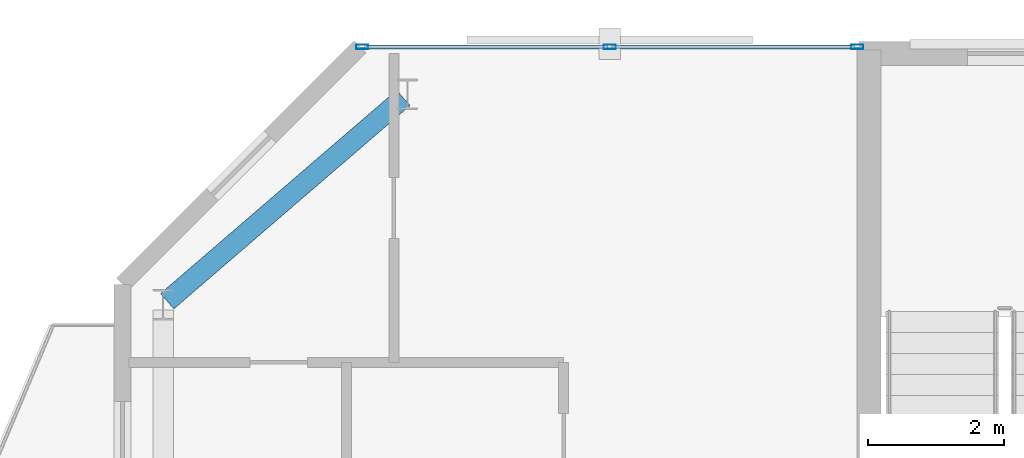
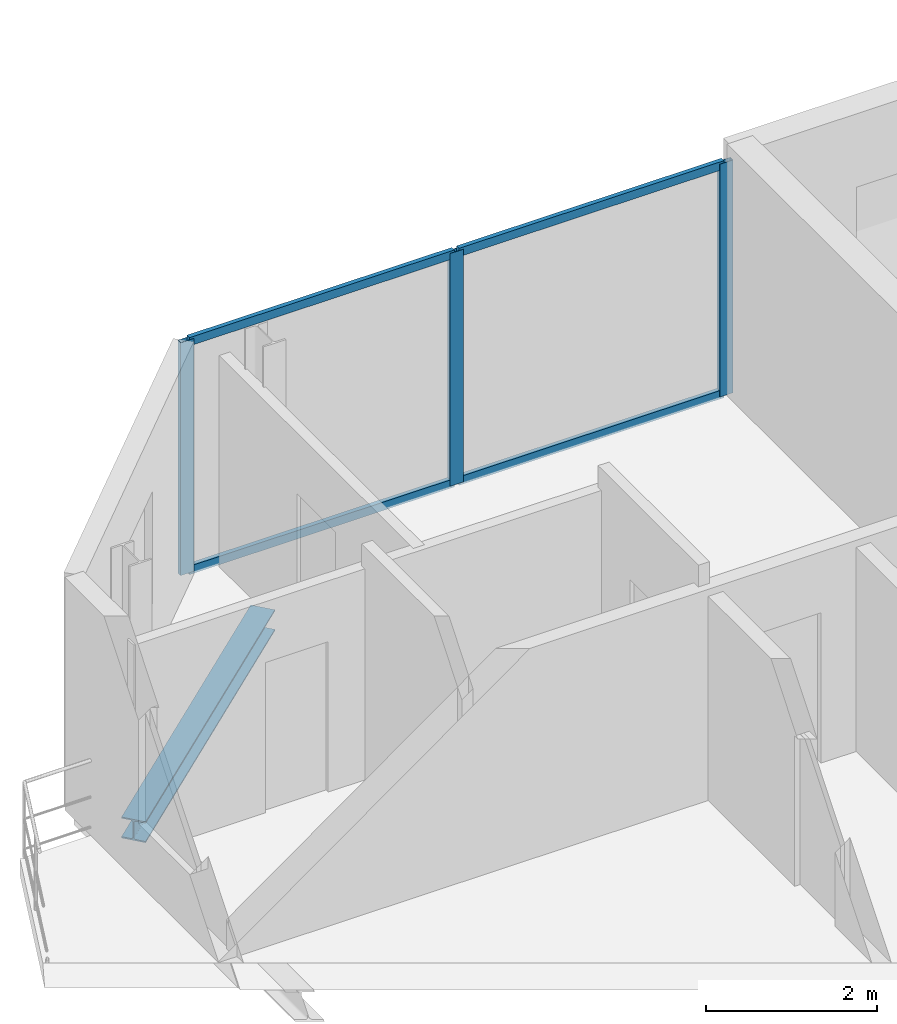
# One storey, part 15 of 23: 7 members, 1 beam, 1 element without a shape of its own.
"""IFC4 building model written with IfcOpenShell, lengths in metres."""

from ifc_helpers import new_model, si_unit, direction, frame, origin, origin_2d, place, context, subcontext, project, spatial, hollow_rectangle, i_section, extrude, material, layer, layer_set, material_profile, profile_set, type_object, element, aggregate, save


model = new_model("IFC4")

# Units and contexts
model_context = context("Model", 3, precision=1e-05, world=origin(), true_north=direction((0.0, 1.0)))
body_context = subcontext(model_context, "Body", "Model", "MODEL_VIEW")
ifc_project = project(units=[si_unit("LENGTHUNIT", "METRE"), si_unit("AREAUNIT", "SQUARE_METRE"), si_unit("VOLUMEUNIT", "CUBIC_METRE"), si_unit("PLANEANGLEUNIT", "RADIAN"), si_unit("MASSUNIT", "GRAM", prefix="KILO")], contexts=[model_context])

# Site, building, storey
site_placement = place(None, origin())
site = spatial("IfcSite", under=ifc_project, at=site_placement, CompositionType="ELEMENT")
building_placement = place(site_placement, origin())
building = spatial("IfcBuilding", under=site, at=building_placement, Name="Catumbela Crestline Tower", CompositionType="ELEMENT")
storey_placement = place(building_placement, frame((0.0, 0.0, 197.4)))
storey = spatial("IfcBuildingStorey", under=building, at=storey_placement, Name="L51", CompositionType="ELEMENT", Elevation=197.4)

# Curtain wall, members
ifc_material_1 = material(Name="Aluminium alloy AW-6060-T66", Category="aluminium")
ifc_layer = layer(ifc_material_1, 0.18, Name="Aluminium alloy AW-6060-T66")
ifc_layer_set = layer_set([ifc_layer], Name="Aluminium alloy AW-6060-T66")
curtain_wall_type = type_object("IfcCurtainWallType", Name="CWU-Z3", PredefinedType="USERDEFINED", material=ifc_layer_set)
curtain_wall_placement = place(storey_placement, origin())
curtain_wall = element("IfcCurtainWall", 1, at=curtain_wall_placement, inside=storey, type_object=curtain_wall_type, Name="L51 Unitised Curtain Wall CW-L51-E7S2", ObjectType="UNITISED", PredefinedType="USERDEFINED")
ifc_material_profile_1 = material_profile(ifc_material_1, hollow_rectangle(XDim=0.065, YDim=0.18, WallThickness=0.004, at=origin_2d()), Name="ALU 180x65x4")
ifc_profile_set_1 = profile_set([ifc_material_profile_1], Name="Aluminium alloy AW-6060-T66")
member_type_1 = type_object("IfcMemberType", Name="MUL-180X65", PredefinedType="MULLION", material=ifc_profile_set_1)
member_1_placement = place(storey_placement, frame((15.8275, 43.0, 0.0), z_axis=(0.0, 0.0, 1.0), x_axis=(0.0, -1.0, 0.0)))
member_1 = element("IfcMember", 2, at=member_1_placement, type_object=member_type_1, Name="CWU-Z3 mullion 1", PredefinedType="MULLION", context=body_context, shape_type="SweptSolid", body=[
    extrude(hollow_rectangle(XDim=0.065, YDim=0.18, WallThickness=0.004, at=origin_2d()), origin(), (0.0, 0.0, 1.0), 3.33),
])
member_2_placement = place(storey_placement, frame((12.18, 43.0, 0.0), z_axis=(0.0, 0.0, 1.0), x_axis=(0.0, -1.0, 0.0)))
member_2 = element("IfcMember", 3, at=member_2_placement, type_object=member_type_1, Name="CWU-Z3 mullion 2", PredefinedType="MULLION", context=body_context, shape_type="SweptSolid", body=[
    extrude(hollow_rectangle(XDim=0.065, YDim=0.18, WallThickness=0.004, at=origin_2d()), origin(), (0.0, 0.0, 1.0), 3.33),
])
member_3_placement = place(storey_placement, frame((8.5325, 43.0, 0.0), z_axis=(0.0, 0.0, 1.0), x_axis=(0.0, -1.0, 0.0)))
member_3 = element("IfcMember", 4, at=member_3_placement, type_object=member_type_1, Name="CWU-Z3 mullion 3", PredefinedType="MULLION", context=body_context, shape_type="SweptSolid", body=[
    extrude(hollow_rectangle(XDim=0.065, YDim=0.18, WallThickness=0.004, at=origin_2d()), origin(), (0.0, 0.0, 1.0), 3.33),
])

# Beam
ifc_material_2 = material(Name="Structural steel S355J2", Category="steel")
ifc_material_profile_2 = material_profile(ifc_material_2, i_section(OverallWidth=0.3, OverallDepth=0.3, WebThickness=0.011, FlangeThickness=0.019, FilletRadius=0.027, at=origin_2d()), Name="HEB 300")
ifc_profile_set_2 = profile_set([ifc_material_profile_2], Name="Structural steel S355J2")
beam_type = type_object("IfcBeamType", Name="BS-HEB300", PredefinedType="SPANDREL", material=ifc_profile_set_2)
beam_placement = place(storey_placement, frame((5.6606, 39.2522, -0.41), z_axis=(0.757772392559, 0.652518966066, 0.0), x_axis=(-0.652518966066, 0.757772392559, 0.0)))
element("IfcBeam", 5, at=beam_placement, inside=storey, type_object=beam_type, Name="L51 Spandrel SP-L51-N10", PredefinedType="SPANDREL", context=body_context, shape_type="SweptSolid", body=[
    extrude(i_section(OverallWidth=0.3, OverallDepth=0.3, WebThickness=0.011, FlangeThickness=0.019, FilletRadius=0.027, at=origin_2d()), origin(), (0.0, 0.0, 1.0), 4.5908),
])

# Member
ifc_material_profile_3 = material_profile(ifc_material_1, hollow_rectangle(XDim=0.06, YDim=0.12, WallThickness=0.0035, at=origin_2d()), Name="ALU 120x60x3.5")
ifc_profile_set_3 = profile_set([ifc_material_profile_3], Name="Aluminium alloy AW-6060-T66")
member_type_2 = type_object("IfcMemberType", Name="TRN-120X60", PredefinedType="USERDEFINED", material=ifc_profile_set_3)
member_4_placement = place(storey_placement, frame((15.795, 43.0, 0.03), z_axis=(-1.0, 0.0, 0.0), x_axis=(0.0, -1.0, 0.0)))
member_4 = element("IfcMember", 6, at=member_4_placement, type_object=member_type_2, Name="CWU-Z3 transom 1.1", ObjectType="TRANSOM", PredefinedType="USERDEFINED", context=body_context, shape_type="SweptSolid", body=[
    extrude(hollow_rectangle(XDim=0.06, YDim=0.12, WallThickness=0.0035, at=origin_2d()), origin(), (0.0, 0.0, 1.0), 3.5825),
])

member_5_placement = place(storey_placement, frame((15.795, 43.0, 3.3), z_axis=(-1.0, 0.0, 0.0), x_axis=(0.0, -1.0, 0.0)))
member_5 = element("IfcMember", 7, at=member_5_placement, type_object=member_type_2, Name="CWU-Z3 transom 1.2", ObjectType="TRANSOM", PredefinedType="USERDEFINED", context=body_context, shape_type="SweptSolid", body=[
    extrude(hollow_rectangle(XDim=0.06, YDim=0.12, WallThickness=0.0035, at=origin_2d()), origin(), (0.0, 0.0, 1.0), 3.5825),
])

member_6_placement = place(storey_placement, frame((12.1475, 43.0, 0.03), z_axis=(-1.0, 0.0, 0.0), x_axis=(0.0, -1.0, 0.0)))
member_6 = element("IfcMember", 8, at=member_6_placement, type_object=member_type_2, Name="CWU-Z3 transom 2.1", ObjectType="TRANSOM", PredefinedType="USERDEFINED", context=body_context, shape_type="SweptSolid", body=[
    extrude(hollow_rectangle(XDim=0.06, YDim=0.12, WallThickness=0.0035, at=origin_2d()), origin(), (0.0, 0.0, 1.0), 3.5825),
])

member_7_placement = place(storey_placement, frame((12.1475, 43.0, 3.3), z_axis=(-1.0, 0.0, 0.0), x_axis=(0.0, -1.0, 0.0)))
member_7 = element("IfcMember", 9, at=member_7_placement, type_object=member_type_2, Name="CWU-Z3 transom 2.2", ObjectType="TRANSOM", PredefinedType="USERDEFINED", context=body_context, shape_type="SweptSolid", body=[
    extrude(hollow_rectangle(XDim=0.06, YDim=0.12, WallThickness=0.0035, at=origin_2d()), origin(), (0.0, 0.0, 1.0), 3.5825),
])

aggregate(curtain_wall, [member_1, member_2, member_3, member_4, member_5, member_6, member_7])

save(model, "model.ifc")
